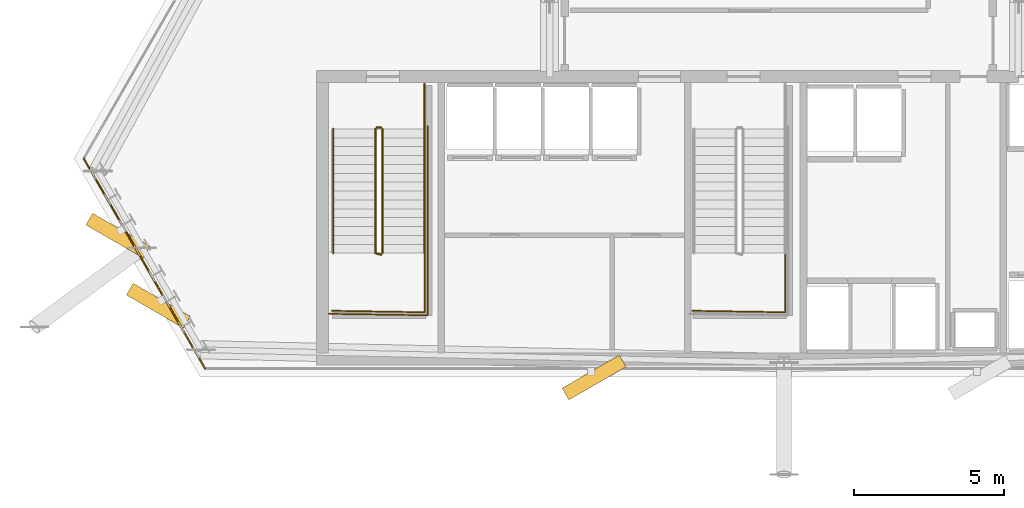
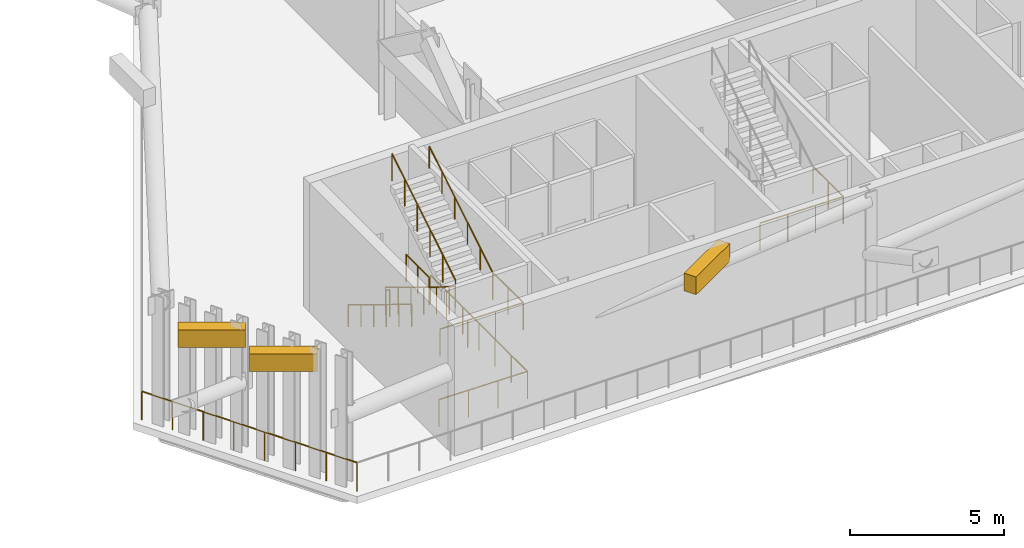
# One storey, part 6 of 11: 10 railings, 3 shading devices.
"""IFC4 building model written with IfcOpenShell, lengths in metres."""

from ifc_helpers import new_model, si_unit, direction, frame, origin, origin_2d, place, context, subcontext, project, spatial, rectangle, circle, extrude, material, layer, layer_set, type_object, element, save


model = new_model("IFC4")

# Units and contexts
model_context = context("Model", 3, precision=1e-05, world=origin(), true_north=direction((0.0, 1.0)))
body_context = subcontext(model_context, "Body", "Model", "MODEL_VIEW")
ifc_project = project(units=[si_unit("LENGTHUNIT", "METRE"), si_unit("AREAUNIT", "SQUARE_METRE"), si_unit("VOLUMEUNIT", "CUBIC_METRE"), si_unit("PLANEANGLEUNIT", "RADIAN"), si_unit("MASSUNIT", "GRAM", prefix="KILO")], contexts=[model_context])

# Site, building, storey
site_placement = place(None, origin())
site = spatial("IfcSite", under=ifc_project, at=site_placement, CompositionType="ELEMENT")
building_placement = place(site_placement, origin())
building = spatial("IfcBuilding", under=site, at=building_placement, Name="Ndaravel Arena Tower", CompositionType="ELEMENT")
storey_placement = place(building_placement, frame((0.0, 0.0, 203.0)))
storey = spatial("IfcBuildingStorey", under=building, at=storey_placement, Name="L49", CompositionType="ELEMENT", Elevation=203.0)

# Railings
ifc_material_1 = material(Name="Steel S355", Category="steel")
ifc_layer_1 = layer(ifc_material_1, 0.06005859375)
ifc_layer_set_1 = layer_set([ifc_layer_1], Name="Steel S355")
railing_type_1 = type_object("IfcRailingType", Name="RAIL-STAIR-GD1100", PredefinedType="GUARDRAIL", material=ifc_layer_set_1)
railing_1_placement = place(storey_placement, frame((28.39990234375, 13.25, 0.179931640625)))
element("IfcRailing", 1, at=railing_1_placement, inside=storey, type_object=railing_type_1, Name="L49 ST-1 stair guard 1", PredefinedType="GUARDRAIL", context=body_context, shape_type="SweptSolid", body=[
    extrude(circle(Radius=0.02392578125, at=origin_2d()), frame((0.0, 0.0, 1.076171875), z_axis=(0.0, -0.853630913754, 0.520878357281), x_axis=(1.0, 0.0, 0.0)), (0.0, 0.0, 1.0), 4.838134765625),
    extrude(circle(Radius=0.02392578125, at=origin_2d()), frame((0.0, -4.1298828125, 3.59619140625), z_axis=(0.967074537263, -0.25449329928, 0.0), x_axis=(0.25449329928, 0.967074537263, 0.0)), (0.0, 0.0, 1.0), 0.19677734375),
    extrude(circle(Radius=0.02099609375, at=origin_2d()), origin(), (0.0, 0.0, 1.0), 1.052001953125),
    extrude(circle(Radius=0.02099609375, at=origin_2d()), frame((0.0, -0.825927734375, 0.50390625)), (0.0, 0.0, 1.0), 1.052001953125),
    extrude(circle(Radius=0.02099609375, at=origin_2d()), frame((0.0, -1.65185546875, 1.008056640625)), (0.0, 0.0, 1.0), 1.052001953125),
    extrude(circle(Radius=0.02099609375, at=origin_2d()), frame((0.0, -2.47802734375, 1.511962890625)), (0.0, 0.0, 1.0), 1.052001953125),
    extrude(circle(Radius=0.02099609375, at=origin_2d()), frame((0.0, -3.303955078125, 2.01611328125)), (0.0, 0.0, 1.0), 1.052001953125),
    extrude(circle(Radius=0.02099609375, at=origin_2d()), frame((0.0, -4.1298828125, 2.52001953125)), (0.0, 0.0, 1.0), 1.052001953125),
    extrude(circle(Radius=0.02099609375, at=origin_2d()), frame((0.190185546875, -4.179931640625, 2.52001953125)), (0.0, 0.0, 1.0), 1.052001953125),
])
railing_2_placement = place(storey_placement, frame((30.0400390625, 9.1201171875, 2.699951171875)))
element("IfcRailing", 2, at=railing_2_placement, inside=storey, type_object=railing_type_1, Name="L49 ST-1 stair guard 2", PredefinedType="GUARDRAIL", context=body_context, shape_type="SweptSolid", body=[
    extrude(circle(Radius=0.02392578125, at=origin_2d()), frame((0.0, 0.0, 1.076171875), z_axis=(0.0, -1.0, 0.0), x_axis=(1.0, 0.0, 0.0)), (0.0, 0.0, 1.0), 1.97021484375),
    extrude(circle(Radius=0.02392578125, at=origin_2d()), frame((0.0, -1.97021484375, 1.076171875), z_axis=(-0.999868861343, 0.016194447071, 0.0), x_axis=(-0.016194447071, -0.999868861343, 0.0)), (0.0, 0.0, 1.0), 3.090576171875),
    extrude(circle(Radius=0.02099609375, at=origin_2d()), origin(), (0.0, 0.0, 1.0), 1.052001953125),
    extrude(circle(Radius=0.02099609375, at=origin_2d()), frame((0.0, -0.985107421875, 0.0)), (0.0, 0.0, 1.0), 1.052001953125),
    extrude(circle(Radius=0.02099609375, at=origin_2d()), frame((0.0, -1.97021484375, 0.0)), (0.0, 0.0, 1.0), 1.052001953125),
    extrude(circle(Radius=0.02099609375, at=origin_2d()), frame((-1.030029296875, -1.95361328125, 0.0)), (0.0, 0.0, 1.0), 1.052001953125),
    extrude(circle(Radius=0.02099609375, at=origin_2d()), frame((-2.06005859375, -1.936767578125, 0.0)), (0.0, 0.0, 1.0), 1.052001953125),
    extrude(circle(Radius=0.02099609375, at=origin_2d()), frame((-3.090087890625, -1.920166015625, 0.0)), (0.0, 0.0, 1.0), 1.052001953125),
])
railing_3_placement = place(storey_placement, frame((28.639892578125, 9.1201171875, 2.8798828125)))
element("IfcRailing", 3, at=railing_3_placement, inside=storey, type_object=railing_type_1, Name="L49 ST-1 stair guard 3", PredefinedType="GUARDRAIL", context=body_context, shape_type="SweptSolid", body=[
    extrude(circle(Radius=0.02392578125, at=origin_2d()), frame((0.0, 0.0, 1.076171875), z_axis=(0.0, 0.853630913754, 0.520878357281), x_axis=(-1.0, 0.0, 0.0)), (0.0, 0.0, 1.0), 4.838134765625),
    extrude(circle(Radius=0.02099609375, at=origin_2d()), origin(), (0.0, 0.0, 1.0), 1.052001953125),
    extrude(circle(Radius=0.02099609375, at=origin_2d()), frame((0.0, 0.825927734375, 0.50390625)), (0.0, 0.0, 1.0), 1.052001953125),
    extrude(circle(Radius=0.02099609375, at=origin_2d()), frame((0.0, 1.65185546875, 1.008056640625)), (0.0, 0.0, 1.0), 1.052001953125),
    extrude(circle(Radius=0.02099609375, at=origin_2d()), frame((0.0, 2.47802734375, 1.511962890625)), (0.0, 0.0, 1.0), 1.052001953125),
    extrude(circle(Radius=0.02099609375, at=origin_2d()), frame((0.0, 3.303955078125, 2.01611328125)), (0.0, 0.0, 1.0), 1.052001953125),
    extrude(circle(Radius=0.02099609375, at=origin_2d()), frame((0.0, 4.1298828125, 2.52001953125)), (0.0, 0.0, 1.0), 1.052001953125),
])
railing_4_placement = place(storey_placement, frame((28.449951171875, 13.300048828125, 0.0)))
element("IfcRailing", 4, at=railing_4_placement, inside=storey, type_object=railing_type_1, Name="L49 ST-1 stair guard 4", PredefinedType="GUARDRAIL", context=body_context, shape_type="SweptSolid", body=[
    extrude(circle(Radius=0.02392578125, at=origin_2d()), frame((0.0, 0.0, 1.076171875), z_axis=(1.0, 0.0, 0.0), x_axis=(0.0, 1.0, 0.0)), (0.0, 0.0, 1.0), 0.14013671875),
    extrude(circle(Radius=0.02099609375, at=origin_2d()), origin(), (0.0, 0.0, 1.0), 1.052001953125),
    extrude(circle(Radius=0.02099609375, at=origin_2d()), frame((0.14013671875, 0.0, 0.0)), (0.0, 0.0, 1.0), 1.052001953125),
])
railing_5_placement = place(storey_placement, frame((30.0400390625, 14.75, 0.0)))
element("IfcRailing", 5, at=railing_5_placement, inside=storey, type_object=railing_type_1, Name="L49 ST-1 stair guard 5", PredefinedType="GUARDRAIL", context=body_context, shape_type="SweptSolid", body=[
    extrude(circle(Radius=0.02392578125, at=origin_2d()), frame((0.0, 0.0, 1.076171875), z_axis=(0.0, -1.0, 0.0), x_axis=(1.0, 0.0, 0.0)), (0.0, 0.0, 1.0), 1.5),
    extrude(circle(Radius=0.02099609375, at=origin_2d()), origin(), (0.0, 0.0, 1.0), 1.052001953125),
    extrude(circle(Radius=0.02099609375, at=origin_2d()), frame((0.0, -0.75, 0.0)), (0.0, 0.0, 1.0), 1.052001953125),
    extrude(circle(Radius=0.02099609375, at=origin_2d()), frame((0.0, -1.5, 0.0)), (0.0, 0.0, 1.0), 1.052001953125),
])
railing_6_placement = place(storey_placement, frame((30.139892578125, 13.35009765625, 0.0)))
element("IfcRailing", 6, at=railing_6_placement, inside=storey, type_object=railing_type_1, Name="L49 ST-1 stair guard 6", PredefinedType="GUARDRAIL", context=body_context, shape_type="SweptSolid", body=[
    extrude(circle(Radius=0.02392578125, at=origin_2d()), frame((0.0, 0.0, 1.076171875), z_axis=(0.0, -1.0, 0.0), x_axis=(1.0, 0.0, 0.0)), (0.0, 0.0, 1.0), 6.300048828125),
    extrude(circle(Radius=0.02392578125, at=origin_2d()), frame((0.0, -6.300048828125, 1.076171875), z_axis=(-0.999884296952, 0.015211597839, 0.0), x_axis=(-0.015211597839, -0.999884296952, 0.0)), (0.0, 0.0, 1.0), 3.290283203125),
    extrude(circle(Radius=0.02099609375, at=origin_2d()), origin(), (0.0, 0.0, 1.0), 1.052001953125),
    extrude(circle(Radius=0.02099609375, at=origin_2d()), frame((0.0, -1.050048828125, 0.0)), (0.0, 0.0, 1.0), 1.052001953125),
    extrude(circle(Radius=0.02099609375, at=origin_2d()), frame((0.0, -2.10009765625, 0.0)), (0.0, 0.0, 1.0), 1.052001953125),
    extrude(circle(Radius=0.02099609375, at=origin_2d()), frame((0.0, -3.14990234375, 0.0)), (0.0, 0.0, 1.0), 1.052001953125),
    extrude(circle(Radius=0.02099609375, at=origin_2d()), frame((0.0, -4.199951171875, 0.0)), (0.0, 0.0, 1.0), 1.052001953125),
    extrude(circle(Radius=0.02099609375, at=origin_2d()), frame((0.0, -5.25, 0.0)), (0.0, 0.0, 1.0), 1.052001953125),
    extrude(circle(Radius=0.02099609375, at=origin_2d()), frame((0.0, -6.300048828125, 0.0)), (0.0, 0.0, 1.0), 1.052001953125),
    extrude(circle(Radius=0.02099609375, at=origin_2d()), frame((-1.0966796875, -6.283447265625, 0.0)), (0.0, 0.0, 1.0), 1.052001953125),
    extrude(circle(Radius=0.02099609375, at=origin_2d()), frame((-2.193115234375, -6.2666015625, 0.0)), (0.0, 0.0, 1.0), 1.052001953125),
    extrude(circle(Radius=0.02099609375, at=origin_2d()), frame((-3.289794921875, -6.25, 0.0)), (0.0, 0.0, 1.0), 1.052001953125),
])
railing_7_placement = place(storey_placement, frame((42.0400390625, 9.1201171875, 2.699951171875)))
element("IfcRailing", 7, at=railing_7_placement, inside=storey, type_object=railing_type_1, Name="L49 ST-2 stair guard 2", PredefinedType="GUARDRAIL", context=body_context, shape_type="SweptSolid", body=[
    extrude(circle(Radius=0.02392578125, at=origin_2d()), frame((0.0, 0.0, 1.076171875), z_axis=(0.0, -1.0, 0.0), x_axis=(1.0, 0.0, 0.0)), (0.0, 0.0, 1.0), 1.97021484375),
    extrude(circle(Radius=0.02392578125, at=origin_2d()), frame((0.0, -1.97021484375, 1.076171875), z_axis=(-0.999868861343, 0.016194447071, 0.0), x_axis=(-0.016194447071, -0.999868861343, 0.0)), (0.0, 0.0, 1.0), 3.090576171875),
    extrude(circle(Radius=0.02099609375, at=origin_2d()), origin(), (0.0, 0.0, 1.0), 1.052001953125),
    extrude(circle(Radius=0.02099609375, at=origin_2d()), frame((0.0, -0.985107421875, 0.0)), (0.0, 0.0, 1.0), 1.052001953125),
    extrude(circle(Radius=0.02099609375, at=origin_2d()), frame((0.0, -1.97021484375, 0.0)), (0.0, 0.0, 1.0), 1.052001953125),
    extrude(circle(Radius=0.02099609375, at=origin_2d()), frame((-1.030029296875, -1.95361328125, 0.0)), (0.0, 0.0, 1.0), 1.052001953125),
    extrude(circle(Radius=0.02099609375, at=origin_2d()), frame((-2.06005859375, -1.936767578125, 0.0)), (0.0, 0.0, 1.0), 1.052001953125),
    extrude(circle(Radius=0.02099609375, at=origin_2d()), frame((-3.090087890625, -1.920166015625, 0.0)), (0.0, 0.0, 1.0), 1.052001953125),
])
ifc_material_2 = material(Name="Steel S355", Category="steel")
ifc_layer_2 = layer(ifc_material_2, 0.050048828125)
ifc_layer_set_2 = layer_set([ifc_layer_2], Name="Steel S355")
railing_type_2 = type_object("IfcRailingType", Name="RAIL-STAIR-HR920", PredefinedType="HANDRAIL", material=ifc_layer_set_2)
railing_8_placement = place(storey_placement, frame((27.0, 13.25, 0.179931640625)))
element("IfcRailing", 8, at=railing_8_placement, inside=storey, type_object=railing_type_2, Name="L49 ST-1 stair handrail 1", PredefinedType="HANDRAIL", context=body_context, shape_type="SweptSolid", body=[
    extrude(circle(Radius=0.02392578125, at=origin_2d()), frame((0.0, 0.0, 0.8759765625), z_axis=(0.0, -0.853630913754, 0.520878357281), x_axis=(1.0, 0.0, 0.0)), (0.0, 0.0, 1.0), 4.838134765625),
    extrude(circle(Radius=0.02099609375, at=origin_2d()), origin(), (0.0, 0.0, 1.0), 0.851806640625),
    extrude(circle(Radius=0.02099609375, at=origin_2d()), frame((0.0, -0.825927734375, 0.50390625)), (0.0, 0.0, 1.0), 0.851806640625),
    extrude(circle(Radius=0.02099609375, at=origin_2d()), frame((0.0, -1.65185546875, 1.008056640625)), (0.0, 0.0, 1.0), 0.851806640625),
    extrude(circle(Radius=0.02099609375, at=origin_2d()), frame((0.0, -2.47802734375, 1.511962890625)), (0.0, 0.0, 1.0), 0.851806640625),
    extrude(circle(Radius=0.02099609375, at=origin_2d()), frame((0.0, -3.303955078125, 2.01611328125)), (0.0, 0.0, 1.0), 0.851806640625),
    extrude(circle(Radius=0.02099609375, at=origin_2d()), frame((0.0, -4.1298828125, 2.52001953125)), (0.0, 0.0, 1.0), 0.851806640625),
])
railing_9_placement = place(storey_placement, frame((30.0400390625, 9.1201171875, 2.8798828125)))
element("IfcRailing", 9, at=railing_9_placement, inside=storey, type_object=railing_type_2, Name="L49 ST-1 stair handrail 2", PredefinedType="HANDRAIL", context=body_context, shape_type="SweptSolid", body=[
    extrude(circle(Radius=0.02392578125, at=origin_2d()), frame((0.0, 0.0, 0.8759765625), z_axis=(0.0, 0.853630913754, 0.520878357281), x_axis=(-1.0, 0.0, 0.0)), (0.0, 0.0, 1.0), 4.838134765625),
    extrude(circle(Radius=0.02099609375, at=origin_2d()), origin(), (0.0, 0.0, 1.0), 0.851806640625),
    extrude(circle(Radius=0.02099609375, at=origin_2d()), frame((0.0, 0.825927734375, 0.50390625)), (0.0, 0.0, 1.0), 0.851806640625),
    extrude(circle(Radius=0.02099609375, at=origin_2d()), frame((0.0, 1.65185546875, 1.008056640625)), (0.0, 0.0, 1.0), 0.851806640625),
    extrude(circle(Radius=0.02099609375, at=origin_2d()), frame((0.0, 2.47802734375, 1.511962890625)), (0.0, 0.0, 1.0), 0.851806640625),
    extrude(circle(Radius=0.02099609375, at=origin_2d()), frame((0.0, 3.303955078125, 2.01611328125)), (0.0, 0.0, 1.0), 0.851806640625),
    extrude(circle(Radius=0.02099609375, at=origin_2d()), frame((0.0, 4.1298828125, 2.52001953125)), (0.0, 0.0, 1.0), 0.851806640625),
])
ifc_material_3 = material(Name="Glazing", Category="glass")
ifc_layer_3 = layer(ifc_material_3, 0.070068359375)
ifc_layer_set_3 = layer_set([ifc_layer_3], Name="Glazing")
railing_type_3 = type_object("IfcRailingType", Name="RAIL-TERRACE-1150", PredefinedType="BALUSTRADE", material=ifc_layer_set_3)
railing_10_placement = place(storey_placement, frame((18.6953125, 12.272705078125, 0.0)))
element("IfcRailing", 10, at=railing_10_placement, inside=storey, type_object=railing_type_3, Name="L49 Open Wind Floor Perimeter Guard 6", PredefinedType="BALUSTRADE", context=body_context, shape_type="SweptSolid", body=[
    extrude(circle(Radius=0.02392578125, at=origin_2d()), frame((0.0, 0.0, 1.1259765625), z_axis=(0.500012100153, -0.866018417645, 0.0), x_axis=(0.866018417645, 0.500012100153, 0.0)), (0.0, 0.0, 1.0), 8.074462890625),
    extrude(circle(Radius=0.02099609375, at=origin_2d()), origin(), (0.0, 0.0, 1.0), 1.101806640625),
    extrude(circle(Radius=0.02099609375, at=origin_2d()), frame((0.57666015625, -0.9990234375, 0.0)), (0.0, 0.0, 1.0), 1.101806640625),
    extrude(circle(Radius=0.02099609375, at=origin_2d()), frame((1.153564453125, -1.997802734375, 0.0)), (0.0, 0.0, 1.0), 1.101806640625),
    extrude(circle(Radius=0.02099609375, at=origin_2d()), frame((1.730224609375, -2.996826171875, 0.0)), (0.0, 0.0, 1.0), 1.101806640625),
    extrude(circle(Radius=0.02099609375, at=origin_2d()), frame((2.30712890625, -3.995849609375, 0.0)), (0.0, 0.0, 1.0), 1.101806640625),
    extrude(circle(Radius=0.02099609375, at=origin_2d()), frame((2.8837890625, -4.994873046875, 0.0)), (0.0, 0.0, 1.0), 1.101806640625),
    extrude(circle(Radius=0.02099609375, at=origin_2d()), frame((3.460693359375, -5.99365234375, 0.0)), (0.0, 0.0, 1.0), 1.101806640625),
    extrude(circle(Radius=0.02099609375, at=origin_2d()), frame((4.037353515625, -6.99267578125, 0.0)), (0.0, 0.0, 1.0), 1.101806640625),
])

# Shading devices
ifc_material_4 = material(Name="Aluminium", Category="aluminium")
shading_device_type = type_object("IfcShadingDeviceType", Name="SHD-WIND-LOUVRE", PredefinedType="JALOUSIE", material=ifc_material_4)
for number, where, z_axis, x_axis, name in (
    (11, (35.680908203125, 4.980712890625, 4.169921875), (0.0, 0.0, 1.0), (0.5, -0.866025403784, 0.0), "L49 Wind-Floor Acoustic Louvre 1.1"),
    (12, (19.833740234375, 9.702392578125, 4.169921875), (0.0, 0.0, 1.0), (-0.5, -0.866025403784, 0.0), "L49 Wind-Floor Acoustic Louvre 6.1"),
    (13, (21.179443359375, 7.37158203125, 4.169921875), (0.0, 0.0, 1.0), (-0.5, -0.866025403784, 0.0), "L49 Wind-Floor Acoustic Louvre 6.2"),
):
    element("IfcShadingDevice", number, at=place(storey_placement, frame(where, z_axis=z_axis, x_axis=x_axis)), inside=storey, type_object=shading_device_type, Name=name, PredefinedType="JALOUSIE", context=body_context, shape_type="SweptSolid", body=[
        extrude(rectangle(XDim=0.449951171875, YDim=2.199951171875, at=origin_2d()), origin(), (0.0, 0.0, 1.0), 0.699951171875),
    ])

save(model, "model.ifc")
